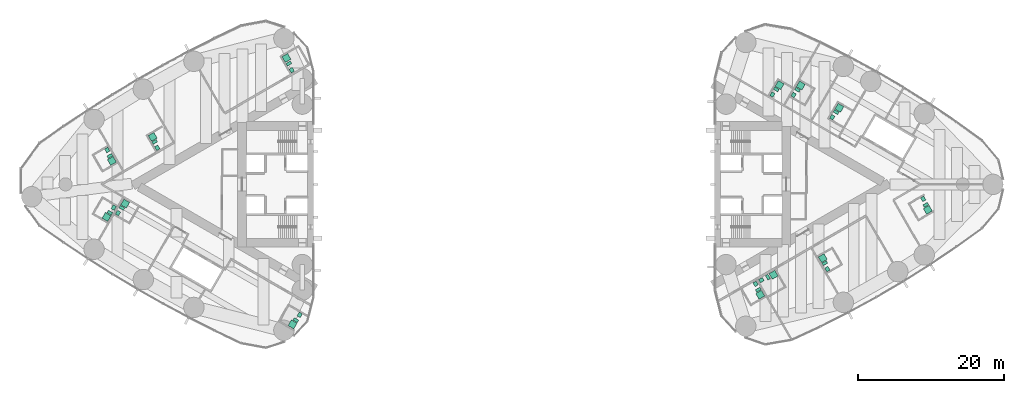
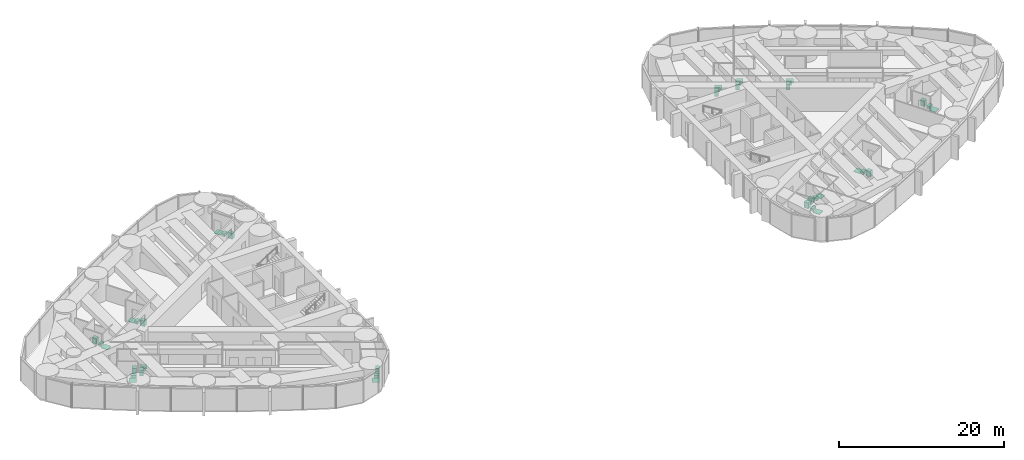
# One storey, part 18 of 18: 17 sanitary terminals.
"""IFC4 building model written with IfcOpenShell, lengths in metres."""

import ifcopenshell
import ifcopenshell.guid

model = None  # the IFC model being written
_history = None  # IfcOwnerHistory: only IFC2X3 demands one
_inside = {}  # id of a spatial element -> (the spatial element, [elements in it])
_under = {}  # id of a project, library or spatial element -> (it, [spatial elements below it])
_declared = {}  # id of a project -> (the project, [libraries it declares])
_typed = {}  # id of a type object -> (the type object, [elements of that type])
_made_of = {}  # id of a material, layer set ... -> (it, [elements and type objects made of it])


def new_model(schema):
    """Start an empty IFC model of exactly this schema.

    Asked for "IFC4X3", IfcOpenShell would pick the latest addendum, in which some entities
    have other attributes; the version numbers below select the first issue.
    IFC2X3 requires an IfcOwnerHistory on every rooted entity: one is made here for all.
    """
    global model, _history
    if schema == "IFC4X3":
        model = ifcopenshell.file(schema_version=(4, 3, 0, 0))
    else:
        model = ifcopenshell.file(schema=schema)
    _inside.clear()
    _under.clear()
    _declared.clear()
    _typed.clear()
    _made_of.clear()
    _history = None
    if model.schema == "IFC2X3":
        org = make("IfcOrganization", Name="unknown")
        user = make(
            "IfcPersonAndOrganization",
            ThePerson=make("IfcPerson", FamilyName="unknown"),
            TheOrganization=org,
        )
        app = make(
            "IfcApplication",
            ApplicationDeveloper=org,
            Version="unknown",
            ApplicationFullName="unknown",
            ApplicationIdentifier="unknown",
        )
        _history = make(
            "IfcOwnerHistory",
            OwningUser=user,
            OwningApplication=app,
            ChangeAction="ADDED",
            CreationDate=0,
        )
    return model


def make(cls, **values):
    """One entity of the class cls with the attributes given. An attribute that is None is left unset."""
    return model.create_entity(
        cls, **{name: value for name, value in values.items() if value is not None}
    )


def rooted(cls, **values):
    """An entity with a GlobalId (a new one), such as an element, a storey or a relation."""
    return make(cls, GlobalId=ifcopenshell.guid.new(), OwnerHistory=_history, **values)


def si_unit(unit_type, name, prefix=None):
    """IfcSIUnit, for example si_unit("LENGTHUNIT", "METRE", prefix="MILLI")."""
    return make("IfcSIUnit", UnitType=unit_type, Prefix=prefix, Name=name)


def assignment(units):
    """IfcUnitAssignment: the units of a project."""
    return None if units is None else make("IfcUnitAssignment", Units=units)


def point(xyz):
    """IfcCartesianPoint."""
    return None if xyz is None else make("IfcCartesianPoint", Coordinates=xyz)


def direction(xyz):
    """IfcDirection."""
    return None if xyz is None else make("IfcDirection", DirectionRatios=xyz)


def frame(location, z_axis=None, x_axis=None):
    """IfcAxis2Placement3D, a coordinate frame: its origin and axes. An axis left out is left unset."""
    return make(
        "IfcAxis2Placement3D",
        Location=point(location),
        Axis=direction(z_axis),
        RefDirection=direction(x_axis),
    )


def frame_2d(location, x_axis=None):
    """IfcAxis2Placement2D, a coordinate frame in the plane: its origin and x axis."""
    return make(
        "IfcAxis2Placement2D", Location=point(location), RefDirection=direction(x_axis)
    )


def origin():
    """The frame at (0, 0, 0) with its axes left unset."""
    return frame((0.0, 0.0, 0.0))


def origin_2d():
    """The frame at (0, 0) in the plane with its x axis left unset."""
    return frame_2d((0.0, 0.0))


def place(relative_to, where):
    """IfcLocalPlacement: puts the frame where relative to a parent placement (None: the world)."""
    return make(
        "IfcLocalPlacement", PlacementRelTo=relative_to, RelativePlacement=where
    )


def context(
    kind, dimensions, precision=None, world=None, true_north=None, identifier=None
):
    """IfcGeometricRepresentationContext, for example the 3D "Model" context."""
    return make(
        "IfcGeometricRepresentationContext",
        ContextIdentifier=identifier,
        ContextType=kind,
        CoordinateSpaceDimension=dimensions,
        Precision=precision,
        WorldCoordinateSystem=world,
        TrueNorth=true_north,
    )


def subcontext(parent, identifier, kind, view, scale=None):
    """IfcGeometricRepresentationSubContext, for example "Body" below "Model"."""
    return make(
        "IfcGeometricRepresentationSubContext",
        ContextIdentifier=identifier,
        ContextType=kind,
        ParentContext=parent,
        TargetScale=scale,
        TargetView=view,
    )


def project(units=None, contexts=None):
    """IfcProject with its units and contexts."""
    return rooted(
        "IfcProject",
        Name="project",
        RepresentationContexts=contexts,
        UnitsInContext=assignment(units),
    )


def spatial(cls, under=None, at=None, **own):
    """A site, building, storey or space (cls), placed at a placement, below another one or the project."""
    s = rooted(cls, ObjectPlacement=at, **own)
    if under is not None:
        _under.setdefault(under.id(), (under, []))[1].append(s)
    return s


def profile(cls, at=None, kind="AREA", **sizes):
    """A parametric profile (cls). Its sizes go by their IFC names, for example OverallWidth=200.0."""
    return make(cls, ProfileType=kind, Position=at, **sizes)


def rectangle(**sizes):
    """IfcRectangleProfileDef."""
    return profile("IfcRectangleProfileDef", **sizes)


def extrude(swept, where, along, depth):
    """IfcExtrudedAreaSolid: the profile swept, set in the frame where, extruded along a direction by depth."""
    return make(
        "IfcExtrudedAreaSolid",
        SweptArea=swept,
        Position=where,
        ExtrudedDirection=direction(along),
        Depth=depth,
    )


def shape(context_of_items, identifier, shape_type, items):
    """IfcShapeRepresentation: the items that make up one representation, for example the "Body"."""
    return make(
        "IfcShapeRepresentation",
        ContextOfItems=context_of_items,
        RepresentationIdentifier=identifier,
        RepresentationType=shape_type,
        Items=items,
    )


def material(Name=None, Category=None):
    """IfcMaterial."""
    return make("IfcMaterial", Name=Name, Category=Category)


def made_of(thing, what):
    """Note that an element or type object is made of a material, layer set ...; save() writes the relation."""
    if what is not None:
        _made_of.setdefault(what.id(), (what, []))[1].append(thing)
    return thing


def type_object(cls, material=None, **own):
    """A type object (cls), such as IfcWallType, which elements share."""
    return made_of(rooted(cls, **own), material)


def element(
    cls,
    number,
    at=None,
    inside=None,
    cuts=None,
    type_object=None,
    material=None,
    context=None,
    identifier="Body",
    shape_type=None,
    held_by="IfcProductDefinitionShape",
    body=None,
    shapes=None,
    **own,
):
    """One element of the class cls, such as IfcWall. Its Tag is "e" and its number.

    at: its placement. inside: the storey or other place that contains it. cuts: it is an
    opening in that element (IfcRelVoidsElement). A single representation is given by context,
    identifier, shape_type and body (its items); several are given by shapes. held_by: the class
    of the entity that holds the representations. save() writes the other relations.
    """
    e = rooted(cls, Tag="e%d" % number, ObjectPlacement=at, **own)
    if body is not None:
        shapes = [shape(context, identifier, shape_type, body)]
    if shapes is not None:
        e.Representation = make(held_by, Representations=shapes)
    if inside is not None:
        _inside.setdefault(inside.id(), (inside, []))[1].append(e)
    if cuts is not None:
        rooted(
            "IfcRelVoidsElement", RelatingBuildingElement=cuts, RelatedOpeningElement=e
        )
    if type_object is not None:
        _typed.setdefault(type_object.id(), (type_object, []))[1].append(e)
    return made_of(e, material)


def aggregate(whole, parts):
    """IfcRelAggregates: a whole, such as a stair, and the parts it consists of."""
    return rooted("IfcRelAggregates", RelatingObject=whole, RelatedObjects=parts)


def save(model, path):
    """Write the relations noted so far, then the file.

    IfcRelAggregates (storeys below a building ...), IfcRelContainedInSpatialStructure (elements
    in a storey), IfcRelDefinesByType, IfcRelAssociatesMaterial and IfcRelDeclares: one each for
    every whole, place, type object, material and project.
    """
    for whole, parts in _under.values():
        aggregate(whole, parts)
    for where, things in _inside.values():
        rooted(
            "IfcRelContainedInSpatialStructure",
            RelatedElements=things,
            RelatingStructure=where,
        )
    for kind, things in _typed.values():
        rooted("IfcRelDefinesByType", RelatedObjects=things, RelatingType=kind)
    for what, things in _made_of.values():
        rooted("IfcRelAssociatesMaterial", RelatedObjects=things, RelatingMaterial=what)
    for by, libraries in _declared.values():
        rooted("IfcRelDeclares", RelatingContext=by, RelatedDefinitions=libraries)
    model.write(path)


model = new_model("IFC4")

# Units and contexts
model_context = context("Model", 3, precision=1e-05, world=origin(), true_north=direction((0.0, 1.0)))
body_context = subcontext(model_context, "Body", "Model", "MODEL_VIEW")
ifc_project = project(units=[si_unit("LENGTHUNIT", "METRE"), si_unit("AREAUNIT", "SQUARE_METRE"), si_unit("VOLUMEUNIT", "CUBIC_METRE"), si_unit("PLANEANGLEUNIT", "RADIAN"), si_unit("MASSUNIT", "GRAM", prefix="KILO")], contexts=[model_context])

# Site, building, storey
site_placement = place(None, origin())
site = spatial("IfcSite", under=ifc_project, at=site_placement, CompositionType="ELEMENT")
building_placement = place(site_placement, origin())
building = spatial("IfcBuilding", under=site, at=building_placement, Name="Lancet Gate Hotel", CompositionType="ELEMENT")
storey_placement = place(building_placement, frame((0.0, 0.0, 187.800048828125)))
storey = spatial("IfcBuildingStorey", under=building, at=storey_placement, Name="L50", CompositionType="ELEMENT", Elevation=187.800048828125)

# Sanitary terminals
ifc_material_1 = material(Name="Vitreous china sanitary ware")
sanitary_terminal_type_1 = type_object("IfcSanitaryTerminalType", Name="En-suite sanitary set (shower, WC, basin)", PredefinedType="USERDEFINED", material=ifc_material_1)
sanitary_terminal_1_placement = place(storey_placement, frame((-49.56005859375, 6.505615234375, 0.0), z_axis=(0.0, 0.0, 1.0), x_axis=(1.0, 0.0, 0.0)))
element("IfcSanitaryTerminal", 1, at=sanitary_terminal_1_placement, inside=storey, type_object=sanitary_terminal_type_1, Name="En-suite sanitary set (shower, WC, basin) 5003", ObjectType="EN-SUITE SANITARY SET", PredefinedType="USERDEFINED", context=body_context, shape_type="SweptSolid", body=[
    extrude(rectangle(XDim=0.89990234375, YDim=0.89990234375, at=origin_2d()), frame((0.0, 0.0, 0.0), z_axis=(0.0, 0.0, 1.0), x_axis=(-0.5, 0.866025403784, 0.0)), (0.0, 0.0, 1.0), 0.050048828125),
    extrude(rectangle(XDim=0.39990234375, YDim=0.699951171875, at=origin_2d()), frame((0.2783203125, -0.68212890625, 0.0), z_axis=(0.0, 0.0, 1.0), x_axis=(-0.5, 0.866025403784, 0.0)), (0.0, 0.0, 1.0), 0.39990234375),
    extrude(rectangle(XDim=0.60009765625, YDim=0.5, at=origin_2d()), frame((0.6318359375, -1.494140625, 0.0), z_axis=(0.0, 0.0, 1.0), x_axis=(-0.5, 0.866025403784, 0.0)), (0.0, 0.0, 1.0), 0.85009765625),
])
sanitary_terminal_2_placement = place(storey_placement, frame((-55.1455078125, 3.211669921875, 0.0), z_axis=(0.0, 0.0, 1.0), x_axis=(1.0, 0.0, 0.0)))
element("IfcSanitaryTerminal", 2, at=sanitary_terminal_2_placement, inside=storey, type_object=sanitary_terminal_type_1, Name="En-suite sanitary set (shower, WC, basin) 5004", ObjectType="EN-SUITE SANITARY SET", PredefinedType="USERDEFINED", context=body_context, shape_type="SweptSolid", body=[
    extrude(rectangle(XDim=0.89990234375, YDim=0.89990234375, at=origin_2d()), frame((0.0, 0.0, 0.0), z_axis=(0.0, 0.0, 1.0), x_axis=(0.5, -0.866025403784, 0.0)), (0.0, 0.0, 1.0), 0.050048828125),
    extrude(rectangle(XDim=0.39990234375, YDim=0.699951171875, at=origin_2d()), frame((-0.278564453125, 0.68212890625, 0.0), z_axis=(0.0, 0.0, 1.0), x_axis=(0.5, -0.866025403784, 0.0)), (0.0, 0.0, 1.0), 0.39990234375),
    extrude(rectangle(XDim=0.60009765625, YDim=0.5, at=origin_2d()), frame((-0.6318359375, 1.494140625, 0.0), z_axis=(0.0, 0.0, 1.0), x_axis=(0.5, -0.866025403784, 0.0)), (0.0, 0.0, 1.0), 0.85009765625),
])
sanitary_terminal_3_placement = place(storey_placement, frame((-55.87548828125, -4.47607421875, 0.0), z_axis=(0.0, 0.0, 1.0), x_axis=(1.0, 0.0, 0.0)))
element("IfcSanitaryTerminal", 3, at=sanitary_terminal_3_placement, inside=storey, type_object=sanitary_terminal_type_1, Name="En-suite sanitary set (shower, WC, basin) 5005", ObjectType="EN-SUITE SANITARY SET", PredefinedType="USERDEFINED", context=body_context, shape_type="SweptSolid", body=[
    extrude(rectangle(XDim=0.89990234375, YDim=0.89990234375, at=origin_2d()), frame((0.0, 0.0, 0.0), z_axis=(0.0, 0.0, 1.0), x_axis=(-0.5, -0.866025403784, 0.0)), (0.0, 0.0, 1.0), 0.050048828125),
    extrude(rectangle(XDim=0.39990234375, YDim=0.699951171875, at=origin_2d()), frame((0.451416015625, 0.582275390625, 0.0), z_axis=(0.0, 0.0, 1.0), x_axis=(-0.5, -0.866025403784, 0.0)), (0.0, 0.0, 1.0), 0.39990234375),
    extrude(rectangle(XDim=0.60009765625, YDim=0.5, at=origin_2d()), frame((0.97802734375, 1.29443359375, 0.0), z_axis=(0.0, 0.0, 1.0), x_axis=(-0.5, -0.866025403784, 0.0)), (0.0, 0.0, 1.0), 0.85009765625),
])
sanitary_terminal_4_placement = place(storey_placement, frame((-53.328369140625, -2.644287109375, 0.0), z_axis=(0.0, 0.0, 1.0), x_axis=(1.0, 0.0, 0.0)))
element("IfcSanitaryTerminal", 4, at=sanitary_terminal_4_placement, inside=storey, type_object=sanitary_terminal_type_1, Name="En-suite sanitary set (shower, WC, basin) 5006", ObjectType="EN-SUITE SANITARY SET", PredefinedType="USERDEFINED", context=body_context, shape_type="SweptSolid", body=[
    extrude(rectangle(XDim=0.89990234375, YDim=0.89990234375, at=origin_2d()), frame((0.0, 0.0, 0.0), z_axis=(0.0, 0.0, 1.0), x_axis=(0.5, 0.866025403784, 0.0)), (0.0, 0.0, 1.0), 0.050048828125),
    extrude(rectangle(XDim=0.39990234375, YDim=0.699951171875, at=origin_2d()), frame((-0.45166015625, -0.58203125, 0.0), z_axis=(0.0, 0.0, 1.0), x_axis=(0.5, 0.866025403784, 0.0)), (0.0, 0.0, 1.0), 0.39990234375),
    extrude(rectangle(XDim=0.60009765625, YDim=0.5, at=origin_2d()), frame((-0.978271484375, -1.294189453125, 0.0), z_axis=(0.0, 0.0, 1.0), x_axis=(0.5, 0.866025403784, 0.0)), (0.0, 0.0, 1.0), 0.85009765625),
])
sanitary_terminal_5_placement = place(storey_placement, frame((-30.37841796875, -19.19677734375, 0.0), z_axis=(0.0, 0.0, 1.0), x_axis=(1.0, 0.0, 0.0)))
element("IfcSanitaryTerminal", 5, at=sanitary_terminal_5_placement, inside=storey, type_object=sanitary_terminal_type_1, Name="En-suite sanitary set (shower, WC, basin) 5008", ObjectType="EN-SUITE SANITARY SET", PredefinedType="USERDEFINED", context=body_context, shape_type="SweptSolid", body=[
    extrude(rectangle(XDim=0.89990234375, YDim=0.89990234375, at=origin_2d()), frame((0.0, 0.0, 0.0), z_axis=(0.0, 0.0, 1.0), x_axis=(-0.5, -0.866025403784, 0.0)), (0.0, 0.0, 1.0), 0.050048828125),
    extrude(rectangle(XDim=0.39990234375, YDim=0.699951171875, at=origin_2d()), frame((0.451416015625, 0.582275390625, 0.0), z_axis=(0.0, 0.0, 1.0), x_axis=(-0.5, -0.866025403784, 0.0)), (0.0, 0.0, 1.0), 0.39990234375),
    extrude(rectangle(XDim=0.60009765625, YDim=0.5, at=origin_2d()), frame((0.97802734375, 1.294189453125, 0.0), z_axis=(0.0, 0.0, 1.0), x_axis=(-0.5, -0.866025403784, 0.0)), (0.0, 0.0, 1.0), 0.85009765625),
])
sanitary_terminal_6_placement = place(storey_placement, frame((33.739990234375, -15.139404296875, 0.0), z_axis=(0.0, 0.0, 1.0), x_axis=(1.0, 0.0, 0.0)))
element("IfcSanitaryTerminal", 6, at=sanitary_terminal_6_placement, inside=storey, type_object=sanitary_terminal_type_1, Name="En-suite sanitary set (shower, WC, basin) 5051", ObjectType="EN-SUITE SANITARY SET", PredefinedType="USERDEFINED", context=body_context, shape_type="SweptSolid", body=[
    extrude(rectangle(XDim=0.89990234375, YDim=0.89990234375, at=origin_2d()), frame((0.0, 0.0, 0.0), z_axis=(0.0, 0.0, 1.0), x_axis=(0.5, -0.866025403784, 0.0)), (0.0, 0.0, 1.0), 0.050048828125),
    extrude(rectangle(XDim=0.39990234375, YDim=0.699951171875, at=origin_2d()), frame((-0.2783203125, 0.68212890625, 0.0), z_axis=(0.0, 0.0, 1.0), x_axis=(0.5, -0.866025403784, 0.0)), (0.0, 0.0, 1.0), 0.39990234375),
    extrude(rectangle(XDim=0.60009765625, YDim=0.5, at=origin_2d()), frame((-0.6318359375, 1.494384765625, 0.0), z_axis=(0.0, 0.0, 1.0), x_axis=(0.5, -0.866025403784, 0.0)), (0.0, 0.0, 1.0), 0.85009765625),
])
sanitary_terminal_7_placement = place(storey_placement, frame((42.31298828125, -10.12060546875, 0.0), z_axis=(0.0, 0.0, 1.0), x_axis=(1.0, 0.0, 0.0)))
element("IfcSanitaryTerminal", 7, at=sanitary_terminal_7_placement, inside=storey, type_object=sanitary_terminal_type_1, Name="En-suite sanitary set (shower, WC, basin) 5054", ObjectType="EN-SUITE SANITARY SET", PredefinedType="USERDEFINED", context=body_context, shape_type="SweptSolid", body=[
    extrude(rectangle(XDim=0.89990234375, YDim=0.89990234375, at=origin_2d()), frame((0.0, 0.0, 0.0), z_axis=(0.0, 0.0, 1.0), x_axis=(-0.5, 0.866025403784, 0.0)), (0.0, 0.0, 1.0), 0.050048828125),
    extrude(rectangle(XDim=0.39990234375, YDim=0.699951171875, at=origin_2d()), frame((0.2783203125, -0.68212890625, 0.0), z_axis=(0.0, 0.0, 1.0), x_axis=(-0.5, 0.866025403784, 0.0)), (0.0, 0.0, 1.0), 0.39990234375),
    extrude(rectangle(XDim=0.60009765625, YDim=0.5, at=origin_2d()), frame((0.631591796875, -1.494384765625, 0.0), z_axis=(0.0, 0.0, 1.0), x_axis=(-0.5, 0.866025403784, 0.0)), (0.0, 0.0, 1.0), 0.85009765625),
])
sanitary_terminal_8_placement = place(storey_placement, frame((56.7138671875, -3.4921875, 0.0), z_axis=(0.0, 0.0, 1.0), x_axis=(1.0, 0.0, 0.0)))
element("IfcSanitaryTerminal", 8, at=sanitary_terminal_8_placement, inside=storey, type_object=sanitary_terminal_type_1, Name="En-suite sanitary set (shower, WC, basin) 5057", ObjectType="EN-SUITE SANITARY SET", PredefinedType="USERDEFINED", context=body_context, shape_type="SweptSolid", body=[
    extrude(rectangle(XDim=0.89990234375, YDim=0.89990234375, at=origin_2d()), frame((0.0, 0.0, 0.0), z_axis=(0.0, 0.0, 1.0), x_axis=(0.5, -0.866025403784, 0.0)), (0.0, 0.0, 1.0), 0.050048828125),
    extrude(rectangle(XDim=0.39990234375, YDim=0.699951171875, at=origin_2d()), frame((-0.278564453125, 0.682373046875, 0.0), z_axis=(0.0, 0.0, 1.0), x_axis=(0.5, -0.866025403784, 0.0)), (0.0, 0.0, 1.0), 0.39990234375),
    extrude(rectangle(XDim=0.60009765625, YDim=0.5, at=origin_2d()), frame((-0.6318359375, 1.494384765625, 0.0), z_axis=(0.0, 0.0, 1.0), x_axis=(0.5, -0.866025403784, 0.0)), (0.0, 0.0, 1.0), 0.85009765625),
])
for number, where, z_axis, x_axis, name in (
    (9, (44.586669921875, 10.49365234375, 0.0), (0.0, 0.0, 1.0), (1.0, 0.0, 0.0), "En-suite sanitary set (shower, WC, basin) 5061"),
    (10, (39.295654296875, 13.54833984375, 0.0), (0.0, 0.0, 1.0), (1.0, 0.0, 0.0), "En-suite sanitary set (shower, WC, basin) 5062"),
):
    element("IfcSanitaryTerminal", number, at=place(storey_placement, frame(where, z_axis=z_axis, x_axis=x_axis)), inside=storey, type_object=sanitary_terminal_type_1, Name=name, ObjectType="EN-SUITE SANITARY SET", PredefinedType="USERDEFINED", context=body_context, shape_type="SweptSolid", body=[
        extrude(rectangle(XDim=0.89990234375, YDim=0.89990234375, at=origin_2d()), frame((0.0, 0.0, 0.0), z_axis=(0.0, 0.0, 1.0), x_axis=(0.5, 0.866025403784, 0.0)), (0.0, 0.0, 1.0), 0.050048828125),
        extrude(rectangle(XDim=0.39990234375, YDim=0.699951171875, at=origin_2d()), frame((-0.45166015625, -0.58203125, 0.0), z_axis=(0.0, 0.0, 1.0), x_axis=(0.5, 0.866025403784, 0.0)), (0.0, 0.0, 1.0), 0.39990234375),
        extrude(rectangle(XDim=0.60009765625, YDim=0.5, at=origin_2d()), frame((-0.978271484375, -1.294189453125, 0.0), z_axis=(0.0, 0.0, 1.0), x_axis=(0.5, 0.866025403784, 0.0)), (0.0, 0.0, 1.0), 0.85009765625),
    ])
sanitary_terminal_9_placement = place(storey_placement, frame((36.38720703125, 13.611083984375, 0.0), z_axis=(0.0, 0.0, 1.0), x_axis=(1.0, 0.0, 0.0)))
element("IfcSanitaryTerminal", 11, at=sanitary_terminal_9_placement, inside=storey, type_object=sanitary_terminal_type_1, Name="En-suite sanitary set (shower, WC, basin) 5063", ObjectType="EN-SUITE SANITARY SET", PredefinedType="USERDEFINED", context=body_context, shape_type="SweptSolid", body=[
    extrude(rectangle(XDim=0.89990234375, YDim=0.89990234375, at=origin_2d()), frame((0.0, 0.0, 0.0), z_axis=(0.0, 0.0, 1.0), x_axis=(0.5, 0.866025403784, 0.0)), (0.0, 0.0, 1.0), 0.050048828125),
    extrude(rectangle(XDim=0.39990234375, YDim=0.699951171875, at=origin_2d()), frame((-0.451416015625, -0.582275390625, 0.0), z_axis=(0.0, 0.0, 1.0), x_axis=(0.5, 0.866025403784, 0.0)), (0.0, 0.0, 1.0), 0.39990234375),
    extrude(rectangle(XDim=0.60009765625, YDim=0.5, at=origin_2d()), frame((-0.97802734375, -1.29443359375, 0.0), z_axis=(0.0, 0.0, 1.0), x_axis=(0.5, 0.866025403784, 0.0)), (0.0, 0.0, 1.0), 0.85009765625),
])
ifc_material_2 = material(Name="Stone resin shower tray", Category="masonry")
sanitary_terminal_type_2 = type_object("IfcSanitaryTerminalType", Name="Shower tray 900", PredefinedType="SHOWER", material=ifc_material_2)
for number, where, z_axis, x_axis, name in (
    (12, (-31.216064453125, 17.327392578125, 0.0), (0.0, 0.0, 1.0), (-0.5, 0.866025403784, 0.0), "Shower tray 900 5001"),
    (13, (35.564697265625, -12.39990234375, 0.0), (0.0, 0.0, 1.0), (0.866025403784, 0.5, 0.0), "Shower tray 900 5052"),
):
    element("IfcSanitaryTerminal", number, at=place(storey_placement, frame(where, z_axis=z_axis, x_axis=x_axis)), inside=storey, type_object=sanitary_terminal_type_2, Name=name, PredefinedType="SHOWER", context=body_context, shape_type="SweptSolid", body=[
        extrude(rectangle(XDim=0.89990234375, YDim=0.89990234375, at=origin_2d()), origin(), (0.0, 0.0, 1.0), 0.050048828125),
    ])
ifc_material_3 = material(Name="Vitreous china sanitary ware")
sanitary_terminal_type_3 = type_object("IfcSanitaryTerminalType", Name="Vanity basin 600", PredefinedType="WASHHANDBASIN", material=ifc_material_3)
for number, where, z_axis, x_axis, name in (
    (14, (-30.484375, 15.659912109375, 0.0), (0.0, 0.0, 1.0), (-0.5, 0.866025403784, 0.0), "Vanity basin 600 5001"),
    (15, (33.897216796875, -13.1318359375, 0.0), (0.0, 0.0, 1.0), (0.866025403784, 0.5, 0.0), "Vanity basin 600 5052"),
):
    element("IfcSanitaryTerminal", number, at=place(storey_placement, frame(where, z_axis=z_axis, x_axis=x_axis)), inside=storey, type_object=sanitary_terminal_type_3, Name=name, PredefinedType="WASHHANDBASIN", context=body_context, shape_type="SweptSolid", body=[
        extrude(rectangle(XDim=0.60009765625, YDim=0.5, at=origin_2d()), origin(), (0.0, 0.0, 1.0), 0.85009765625),
    ])
ifc_material_4 = material(Name="Vitreous china sanitary ware")
sanitary_terminal_type_4 = type_object("IfcSanitaryTerminalType", Name="WC pan wall hung", PredefinedType="TOILETPAN", material=ifc_material_4)
for number, where, z_axis, x_axis, name in (
    (16, (-30.8876953125, 16.55859375, 0.0), (0.0, 0.0, 1.0), (-0.5, 0.866025403784, 0.0), "WC pan wall hung 5001"),
    (17, (34.7958984375, -12.728515625, 0.0), (0.0, 0.0, 1.0), (0.866025403784, 0.5, 0.0), "WC pan wall hung 5052"),
):
    element("IfcSanitaryTerminal", number, at=place(storey_placement, frame(where, z_axis=z_axis, x_axis=x_axis)), inside=storey, type_object=sanitary_terminal_type_4, Name=name, PredefinedType="TOILETPAN", context=body_context, shape_type="SweptSolid", body=[
        extrude(rectangle(XDim=0.39990234375, YDim=0.699951171875, at=origin_2d()), origin(), (0.0, 0.0, 1.0), 0.39990234375),
    ])

save(model, "model.ifc")
